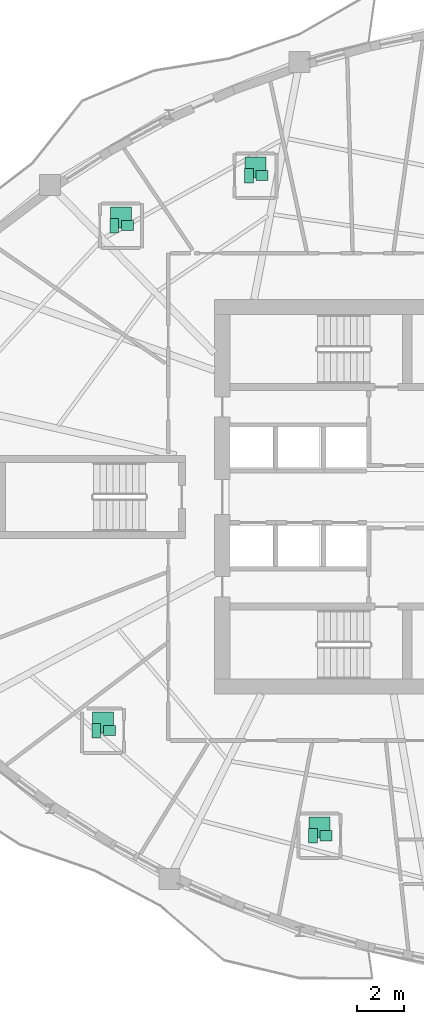
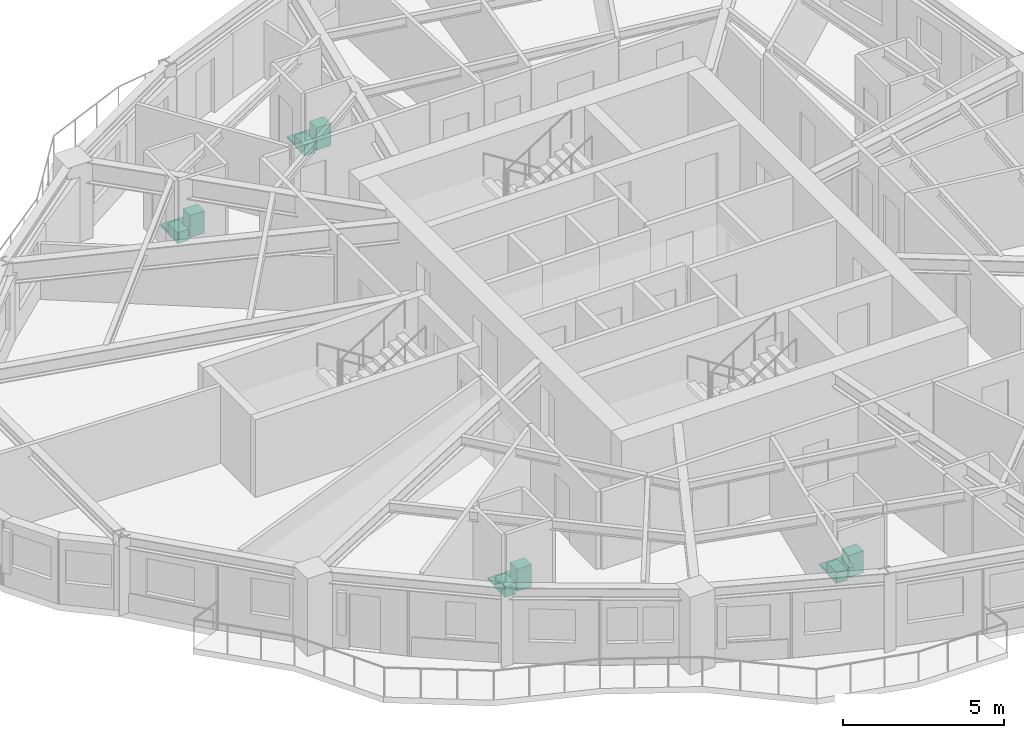
# One storey, part 12 of 12: 12 sanitary terminals.
"""IFC4 building model written with IfcOpenShell, lengths in metres."""

from ifc_helpers import new_model, si_unit, direction, frame, origin, origin_2d, place, context, subcontext, project, spatial, rectangle, extrude, source, transform, mapped, material, type_object, element, save


model = new_model("IFC4")

# Units and contexts
model_context = context("Model", 3, precision=1e-05, world=origin(), true_north=direction((0.0, 1.0)))
body_context = subcontext(model_context, "Body", "Model", "MODEL_VIEW")
ifc_project = project(units=[si_unit("LENGTHUNIT", "METRE"), si_unit("AREAUNIT", "SQUARE_METRE"), si_unit("VOLUMEUNIT", "CUBIC_METRE"), si_unit("PLANEANGLEUNIT", "RADIAN"), si_unit("MASSUNIT", "GRAM", prefix="KILO")], contexts=[model_context])

# Site, building, storey
site_placement = place(None, origin())
site = spatial("IfcSite", under=ifc_project, at=site_placement, CompositionType="ELEMENT")
building_placement = place(site_placement, origin())
building = spatial("IfcBuilding", under=site, at=building_placement, Name="Qafzar Sky-Pleat Residences", CompositionType="ELEMENT")
storey_placement = place(building_placement, frame((0.0, 0.0, 76.800048828125)))
storey = spatial("IfcBuildingStorey", under=building, at=storey_placement, Name="L22", CompositionType="ELEMENT", Elevation=76.800048828125)

# Sanitary terminals
ifc_material_1 = material(Name="Vitreous china sanitaryware")
sanitary_terminal_type_1 = type_object("IfcSanitaryTerminalType", Name="SAN-WC-PAN", PredefinedType="TOILETPAN", material=ifc_material_1)
shared_shape_1 = source(origin(), body_context, "Body", "SweptSolid", [
    extrude(rectangle(XDim=0.3798828125, YDim=0.6201171875, at=origin_2d()), origin(), (0.0, 0.0, 1.0), 0.419921875),
])
for number, where, z_axis, x_axis, name in (
    (1, (25.625, 39.7509765625, 0.0), (0.0, 0.0, 1.0), (1.0, 0.0, 0.0), "L22 En-suite Bathroom 3 WC Pan"),
    (2, (19.85693359375, 37.611083984375, 0.0), (0.0, 0.0, 1.0), (1.0, 0.0, 0.0), "L22 En-suite Bathroom 4 WC Pan"),
    (3, (19.0859375, 15.992919921875, 0.0), (0.0, 0.0, 1.0), (1.0, 0.0, 0.0), "L22 En-suite Bathroom 5 WC Pan"),
    (4, (28.364013671875, 11.498046875, 0.0), (0.0, 0.0, 1.0), (1.0, 0.0, 0.0), "L22 En-suite Bathroom 6 WC Pan"),
):
    element("IfcSanitaryTerminal", number, at=place(storey_placement, frame(where, z_axis=z_axis, x_axis=x_axis)), inside=storey, type_object=sanitary_terminal_type_1, Name=name, PredefinedType="TOILETPAN", context=body_context, shape_type="MappedRepresentation", body=[
        mapped(shared_shape_1, transform((0.0, 0.0, 0.0), x_axis=(1.0, 0.0, 0.0), y_axis=(0.0, 1.0, 0.0), z_axis=(0.0, 0.0, 1.0), scale=1.0)),
    ])
sanitary_terminal_type_2 = type_object("IfcSanitaryTerminalType", Name="SAN-BASIN", PredefinedType="WASHHANDBASIN", material=ifc_material_1)
shared_shape_2 = source(origin(), body_context, "Body", "SweptSolid", [
    extrude(rectangle(XDim=0.52001953125, YDim=0.43994140625, at=origin_2d()), origin(), (0.0, 0.0, 1.0), 0.840087890625),
])
for number, where, z_axis, x_axis, name in (
    (5, (26.18505859375, 39.7509765625, 0.0), (0.0, 0.0, 1.0), (1.0, 0.0, 0.0), "L22 En-suite Bathroom 3 Pedestal Washbasin"),
    (6, (20.4169921875, 37.611083984375, 0.0), (0.0, 0.0, 1.0), (1.0, 0.0, 0.0), "L22 En-suite Bathroom 4 Pedestal Washbasin"),
    (7, (19.64599609375, 15.992919921875, 0.0), (0.0, 0.0, 1.0), (1.0, 0.0, 0.0), "L22 En-suite Bathroom 5 Pedestal Washbasin"),
    (8, (28.924072265625, 11.498046875, 0.0), (0.0, 0.0, 1.0), (1.0, 0.0, 0.0), "L22 En-suite Bathroom 6 Pedestal Washbasin"),
):
    element("IfcSanitaryTerminal", number, at=place(storey_placement, frame(where, z_axis=z_axis, x_axis=x_axis)), inside=storey, type_object=sanitary_terminal_type_2, Name=name, PredefinedType="WASHHANDBASIN", context=body_context, shape_type="MappedRepresentation", body=[
        mapped(shared_shape_2, transform((0.0, 0.0, 0.0), x_axis=(1.0, 0.0, 0.0), y_axis=(0.0, 1.0, 0.0), z_axis=(0.0, 0.0, 1.0), scale=1.0)),
    ])
ifc_material_2 = material(Name="Vitreous china and acrylic tray")
sanitary_terminal_type_3 = type_object("IfcSanitaryTerminalType", Name="SAN-SHOWER", PredefinedType="SHOWER", material=ifc_material_2)
shared_shape_3 = source(origin(), body_context, "Body", "SweptSolid", [
    extrude(rectangle(XDim=0.89990234375, YDim=0.89990234375, at=origin_2d()), origin(), (0.0, 0.0, 1.0), 0.080078125),
])
for number, where, z_axis, x_axis, name in (
    (9, (25.905029296875, 40.091064453125, 0.0), (0.0, 0.0, 1.0), (1.0, 0.0, 0.0), "L22 En-suite Bathroom 3 Walk-In Shower"),
    (10, (20.136962890625, 37.950927734375, 0.0), (0.0, 0.0, 1.0), (1.0, 0.0, 0.0), "L22 En-suite Bathroom 4 Walk-In Shower"),
    (11, (19.365966796875, 16.3330078125, 0.0), (0.0, 0.0, 1.0), (1.0, 0.0, 0.0), "L22 En-suite Bathroom 5 Walk-In Shower"),
    (12, (28.64404296875, 11.837890625, 0.0), (0.0, 0.0, 1.0), (1.0, 0.0, 0.0), "L22 En-suite Bathroom 6 Walk-In Shower"),
):
    element("IfcSanitaryTerminal", number, at=place(storey_placement, frame(where, z_axis=z_axis, x_axis=x_axis)), inside=storey, type_object=sanitary_terminal_type_3, Name=name, PredefinedType="SHOWER", context=body_context, shape_type="MappedRepresentation", body=[
        mapped(shared_shape_3, transform((0.0, 0.0, 0.0), x_axis=(1.0, 0.0, 0.0), y_axis=(0.0, 1.0, 0.0), z_axis=(0.0, 0.0, 1.0), scale=1.0)),
    ])

save(model, "model.ifc")
